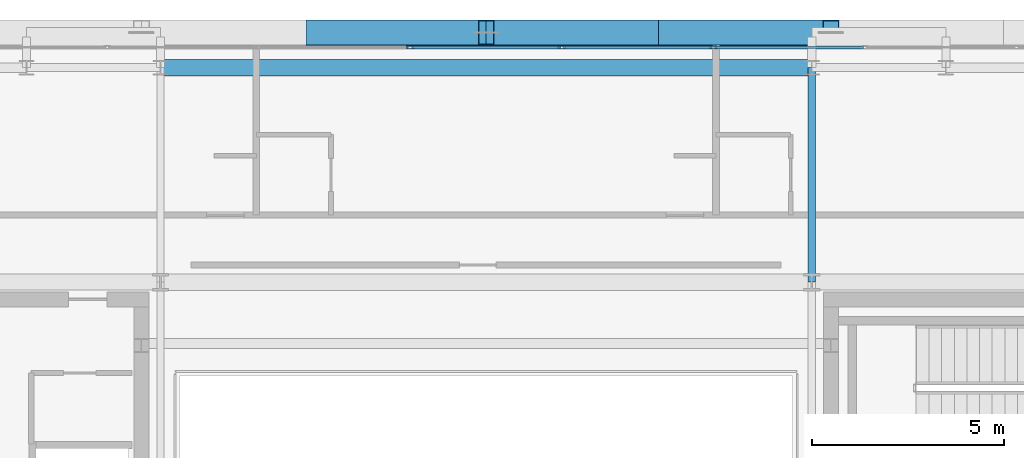
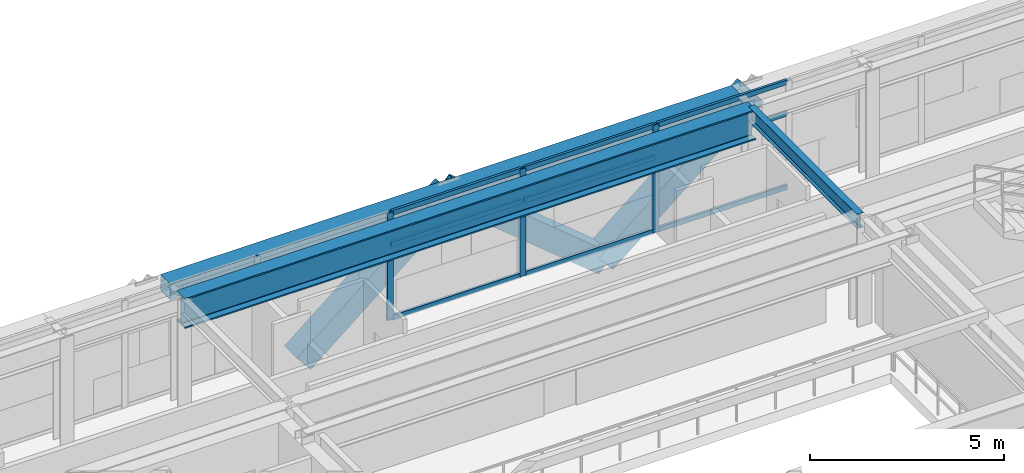
# One storey, part 16 of 29: 15 members, 3 beams, 1 element without a shape of its own.
"""IFC4 building model written with IfcOpenShell, lengths in metres."""

from ifc_helpers import new_model, si_unit, direction, frame, origin, origin_2d, place, context, subcontext, project, spatial, hollow_rectangle, i_section, extrude, source, transform, mapped, material, layer, layer_set, material_profile, profile_set, type_object, element, aggregate, save


model = new_model("IFC4")

# Units and contexts
model_context = context("Model", 3, precision=1e-05, world=origin(), true_north=direction((0.0, 1.0)))
body_context = subcontext(model_context, "Body", "Model", "MODEL_VIEW")
ifc_project = project(units=[si_unit("LENGTHUNIT", "METRE"), si_unit("AREAUNIT", "SQUARE_METRE"), si_unit("VOLUMEUNIT", "CUBIC_METRE"), si_unit("PLANEANGLEUNIT", "RADIAN"), si_unit("MASSUNIT", "GRAM", prefix="KILO")], contexts=[model_context])

# Site, building, storey
site_placement = place(None, origin())
site = spatial("IfcSite", under=ifc_project, at=site_placement, CompositionType="ELEMENT")
building_placement = place(site_placement, origin())
building = spatial("IfcBuilding", under=site, at=building_placement, Name="Ocotamira Hotel", CompositionType="ELEMENT")
storey_placement = place(building_placement, frame((0.0, 0.0, 247.199951171875)))
storey = spatial("IfcBuildingStorey", under=building, at=storey_placement, Name="L62", CompositionType="ELEMENT", Elevation=247.199951171875)

# Beams
ifc_material_1 = material(Name="Steel ASTM A913 Grade 65", Category="steel")
ifc_material_profile_1 = material_profile(ifc_material_1, i_section(OverallWidth=0.423095703125, OverallDepth=0.947998046875, WebThickness=0.02392578125, FlangeThickness=0.042724609375, FilletRadius=0.02392578125, at=origin_2d()), Name="W36X302")
ifc_profile_set_1 = profile_set([ifc_material_profile_1], Name="Steel ASTM A913 Grade 65")
beam_type_1 = type_object("IfcBeamType", Name="BM-TRUSS-W36X302", PredefinedType="BEAM", material=ifc_profile_set_1)
shared_shape_1 = source(origin(), body_context, "Body", "SweptSolid", [
    extrude(i_section(OverallWidth=0.423095703125, OverallDepth=0.947998046875, WebThickness=0.02392578125, FlangeThickness=0.042724609375, FilletRadius=0.02392578125, at=origin_2d()), origin(), (0.0, 0.0, 1.0), 17.0),
])
beam_1_placement = place(storey_placement, frame((23.5, 43.050048828125, 2.906005859375), z_axis=(1.0, 0.0, 0.0), x_axis=(0.0, 1.0, 0.0)))
element("IfcBeam", 1, at=beam_1_placement, inside=storey, type_object=beam_type_1, Name="L62 Girder Y43.05 X23.5-40.5", PredefinedType="BEAM", context=body_context, shape_type="MappedRepresentation", body=[
    mapped(shared_shape_1, transform((0.0, 0.0, 0.0), scale=1.0)),
])
ifc_material_2 = material(Name="Steel ASTM A500 Grade C", Category="steel")
ifc_material_profile_2 = material_profile(ifc_material_2, hollow_rectangle(XDim=0.5, YDim=0.5, WallThickness=0.02001953125, at=origin_2d()), Name="HSS500X500X20")
ifc_profile_set_2 = profile_set([ifc_material_profile_2], Name="Steel ASTM A500 Grade C")
beam_type_2 = type_object("IfcBeamType", Name="BM-SPAN-HSS500", PredefinedType="USERDEFINED", material=ifc_profile_set_2)
shared_shape_2 = source(origin(), body_context, "Body", "SweptSolid", [
    extrude(hollow_rectangle(XDim=0.5, YDim=0.5, WallThickness=0.02001953125, at=origin_2d()), origin(), (0.0, 0.0, 1.0), 17.0),
])
beam_2_placement = place(storey_placement, frame((23.5, 43.85009765625, 3.130126953125), z_axis=(1.0, 0.0, 0.0), x_axis=(0.0, 1.0, 0.0)))
element("IfcBeam", 2, at=beam_2_placement, inside=storey, type_object=beam_type_2, Name="L62 Edge Spandrel N X23.5-40.5", ObjectType="SPANDREL", PredefinedType="USERDEFINED", context=body_context, shape_type="MappedRepresentation", body=[
    mapped(shared_shape_2, transform((0.0, 0.0, 0.0), scale=1.0)),
])
ifc_material_3 = material(Name="Steel ASTM A992 Grade 50", Category="steel")
ifc_material_profile_3 = material_profile(ifc_material_3, i_section(OverallWidth=0.18994140625, OverallDepth=0.45703125, WebThickness=0.009033203125, FlangeThickness=0.014404296875, FilletRadius=0.010009765625, at=origin_2d()), Name="W18X50")
ifc_profile_set_3 = profile_set([ifc_material_profile_3], Name="Steel ASTM A992 Grade 50")
beam_type_3 = type_object("IfcBeamType", Name="BM-SEC-W18X50", PredefinedType="JOIST", material=ifc_profile_set_3)
shared_shape_3 = source(origin(), body_context, "Body", "SweptSolid", [
    extrude(i_section(OverallWidth=0.18994140625, OverallDepth=0.45703125, WebThickness=0.009033203125, FlangeThickness=0.014404296875, FilletRadius=0.010009765625, at=origin_2d()), origin(), (0.0, 0.0, 1.0), 5.60009765625),
])
beam_3_placement = place(storey_placement, frame((40.5, 37.449951171875, 3.151611328125), z_axis=(0.0, 1.0, 0.0), x_axis=(-1.0, 0.0, 0.0)))
element("IfcBeam", 3, at=beam_3_placement, inside=storey, type_object=beam_type_3, Name="L62 Beam X40.5 Y37.45-43.05", PredefinedType="JOIST", context=body_context, shape_type="MappedRepresentation", body=[
    mapped(shared_shape_3, transform((0.0, 0.0, 0.0), scale=1.0)),
])

# Members
ifc_material_4 = material(Name="Pale-metal coated steel ASTM A913 Grade 65", Category="steel")
ifc_material_profile_4 = material_profile(ifc_material_4, hollow_rectangle(XDim=0.64990234375, YDim=0.64990234375, WallThickness=0.02197265625, at=origin_2d()), Name="BOX650X650X22")
ifc_profile_set_4 = profile_set([ifc_material_profile_4], Name="Pale-metal coated steel ASTM A913 Grade 65")
member_type_1 = type_object("IfcMemberType", Name="MEM-EXO-BOX650", PredefinedType="BRACE", material=ifc_profile_set_4)
shared_shape_4 = source(origin(), body_context, "Body", "SweptSolid", [
    extrude(hollow_rectangle(XDim=0.64990234375, YDim=0.64990234375, WallThickness=0.02197265625, at=origin_2d()), origin(), (0.0, 0.0, 1.0), 5.825927734375),
])
for number, where, z_axis, x_axis, name in (
    (4, (27.5, 43.969970703125, -0.570068359375), (0.772409039467, 0.0, 0.635125401593), (0.0, 1.0, 0.0), "L62 Exoskeleton Diagrid N1.2"),
    (5, (36.5, 43.969970703125, -0.570068359375), (-0.772409039467, 0.0, 0.635125401593), (0.0, -1.0, 0.0), "L62 Exoskeleton Diagrid N2.1"),
    (6, (36.5, 43.969970703125, -0.570068359375), (0.772409039467, 0.0, 0.635125401593), (0.0, 1.0, 0.0), "L62 Exoskeleton Diagrid N2.2"),
):
    element("IfcMember", number, at=place(storey_placement, frame(where, z_axis=z_axis, x_axis=x_axis)), inside=storey, type_object=member_type_1, Name=name, PredefinedType="BRACE", context=body_context, shape_type="MappedRepresentation", body=[
        mapped(shared_shape_4, transform((0.0, 0.0, 0.0), scale=1.0)),
    ])

# Curtain wall, members
ifc_material_5 = material(Name="Anodised pale-metal aluminium and solar glass", Category="aluminium")
ifc_layer = layer(ifc_material_5, 0.239990234375)
ifc_layer_set = layer_set([ifc_layer], Name="Anodised pale-metal aluminium and solar glass")
curtain_wall_type = type_object("IfcCurtainWallType", Name="CW-SYS5-SKY", PredefinedType="NOTDEFINED", material=ifc_layer_set)
curtain_wall_placement = place(storey_placement, origin())
curtain_wall = element("IfcCurtainWall", 7, at=curtain_wall_placement, inside=storey, type_object=curtain_wall_type, Name="L62 Curtain Wall CW-5 CW-L62-N", PredefinedType="NOTDEFINED")
ifc_material_6 = material(Name="Anodised pale-metal aluminium 6063-T6", Category="aluminium")
ifc_material_profile_5 = material_profile(ifc_material_6, hollow_rectangle(XDim=0.074951171875, YDim=0.14990234375, WallThickness=0.006103515625, at=origin_2d()), Name="HSS150X75X6")
ifc_profile_set_5 = profile_set([ifc_material_profile_5], Name="Anodised pale-metal aluminium 6063-T6")
member_type_2 = type_object("IfcMemberType", Name="CWT-150X75", PredefinedType="USERDEFINED", material=ifc_profile_set_5)
shared_shape_5 = source(origin(), body_context, "Body", "SweptSolid", [
    extrude(hollow_rectangle(XDim=0.074951171875, YDim=0.14990234375, WallThickness=0.006103515625, at=origin_2d()), origin(), (0.0, 0.0, 1.0), 3.87548828125),
])
member_1_placement = place(storey_placement, frame((30.062255859375, 43.580078125, 0.03759765625), z_axis=(1.0, 0.0, 0.0), x_axis=(0.0, 1.0, 0.0)))
member_1 = element("IfcMember", 8, at=member_1_placement, type_object=member_type_2, Name="CW-5 transom 5.1", ObjectType="TRANSOM", PredefinedType="USERDEFINED", context=body_context, shape_type="MappedRepresentation", body=[
    mapped(shared_shape_5, transform((0.0, 0.0, 0.0), scale=1.0)),
])
member_2_placement = place(storey_placement, frame((30.062255859375, 43.580078125, 2.35009765625), z_axis=(1.0, 0.0, 0.0), x_axis=(0.0, 1.0, 0.0)))
member_2 = element("IfcMember", 9, at=member_2_placement, type_object=member_type_2, Name="CW-5 transom 5.2", ObjectType="TRANSOM", PredefinedType="USERDEFINED", context=body_context, shape_type="MappedRepresentation", body=[
    mapped(shared_shape_5, transform((0.0, 0.0, 0.0), scale=1.0)),
])
member_3_placement = place(storey_placement, frame((30.062255859375, 43.580078125, 3.342529296875), z_axis=(1.0, 0.0, 0.0), x_axis=(0.0, 1.0, 0.0)))
member_3 = element("IfcMember", 10, at=member_3_placement, type_object=member_type_2, Name="CW-5 transom 5.3", ObjectType="TRANSOM", PredefinedType="USERDEFINED", context=body_context, shape_type="MappedRepresentation", body=[
    mapped(shared_shape_5, transform((0.0, 0.0, 0.0), scale=1.0)),
])
member_4_placement = place(storey_placement, frame((34.017822265625, 43.580078125, 0.03759765625), z_axis=(1.0, 0.0, 0.0), x_axis=(0.0, 1.0, 0.0)))
member_4 = element("IfcMember", 11, at=member_4_placement, type_object=member_type_2, Name="CW-5 transom 6.1", ObjectType="TRANSOM", PredefinedType="USERDEFINED", context=body_context, shape_type="MappedRepresentation", body=[
    mapped(shared_shape_5, transform((0.0, 0.0, 0.0), scale=1.0)),
])
member_5_placement = place(storey_placement, frame((34.017822265625, 43.580078125, 2.35009765625), z_axis=(1.0, 0.0, 0.0), x_axis=(0.0, 1.0, 0.0)))
member_5 = element("IfcMember", 12, at=member_5_placement, type_object=member_type_2, Name="CW-5 transom 6.2", ObjectType="TRANSOM", PredefinedType="USERDEFINED", context=body_context, shape_type="MappedRepresentation", body=[
    mapped(shared_shape_5, transform((0.0, 0.0, 0.0), scale=1.0)),
])
member_6_placement = place(storey_placement, frame((34.017822265625, 43.580078125, 3.342529296875), z_axis=(1.0, 0.0, 0.0), x_axis=(0.0, 1.0, 0.0)))
member_6 = element("IfcMember", 13, at=member_6_placement, type_object=member_type_2, Name="CW-5 transom 6.3", ObjectType="TRANSOM", PredefinedType="USERDEFINED", context=body_context, shape_type="MappedRepresentation", body=[
    mapped(shared_shape_5, transform((0.0, 0.0, 0.0), scale=1.0)),
])
member_7_placement = place(storey_placement, frame((37.973388671875, 43.580078125, 0.03759765625), z_axis=(1.0, 0.0, 0.0), x_axis=(0.0, 1.0, 0.0)))
member_7 = element("IfcMember", 14, at=member_7_placement, type_object=member_type_2, Name="CW-5 transom 7.1", ObjectType="TRANSOM", PredefinedType="USERDEFINED", context=body_context, shape_type="MappedRepresentation", body=[
    mapped(shared_shape_5, transform((0.0, 0.0, 0.0), scale=1.0)),
])
member_8_placement = place(storey_placement, frame((37.973388671875, 43.580078125, 2.35009765625), z_axis=(1.0, 0.0, 0.0), x_axis=(0.0, 1.0, 0.0)))
member_8 = element("IfcMember", 15, at=member_8_placement, type_object=member_type_2, Name="CW-5 transom 7.2", ObjectType="TRANSOM", PredefinedType="USERDEFINED", context=body_context, shape_type="MappedRepresentation", body=[
    mapped(shared_shape_5, transform((0.0, 0.0, 0.0), scale=1.0)),
])
member_9_placement = place(storey_placement, frame((37.973388671875, 43.580078125, 3.342529296875), z_axis=(1.0, 0.0, 0.0), x_axis=(0.0, 1.0, 0.0)))
member_9 = element("IfcMember", 16, at=member_9_placement, type_object=member_type_2, Name="CW-5 transom 7.3", ObjectType="TRANSOM", PredefinedType="USERDEFINED", context=body_context, shape_type="MappedRepresentation", body=[
    mapped(shared_shape_5, transform((0.0, 0.0, 0.0), scale=1.0)),
])
ifc_material_profile_6 = material_profile(ifc_material_6, hollow_rectangle(XDim=0.080078125, YDim=0.179931640625, WallThickness=0.006103515625, at=origin_2d()), Name="HSS180X80X6")
ifc_profile_set_6 = profile_set([ifc_material_profile_6], Name="Anodised pale-metal aluminium 6063-T6")
member_type_3 = type_object("IfcMemberType", Name="CWM-180X75", PredefinedType="MULLION", material=ifc_profile_set_6)
shared_shape_6 = source(origin(), body_context, "Body", "SweptSolid", [
    extrude(hollow_rectangle(XDim=0.080078125, YDim=0.179931640625, WallThickness=0.006103515625, at=origin_2d()), origin(), (0.0, 0.0, 1.0), 3.380126953125),
])
member_10_placement = place(storey_placement, frame((30.022216796875, 43.580078125, 0.0), z_axis=(0.0, 0.0, 1.0), x_axis=(0.0, 1.0, 0.0)))
member_10 = element("IfcMember", 17, at=member_10_placement, type_object=member_type_3, Name="CW-5 mullion 5", PredefinedType="MULLION", context=body_context, shape_type="MappedRepresentation", body=[
    mapped(shared_shape_6, transform((0.0, 0.0, 0.0), scale=1.0)),
])
member_11_placement = place(storey_placement, frame((33.977783203125, 43.580078125, 0.0), z_axis=(0.0, 0.0, 1.0), x_axis=(0.0, 1.0, 0.0)))
member_11 = element("IfcMember", 18, at=member_11_placement, type_object=member_type_3, Name="CW-5 mullion 6", PredefinedType="MULLION", context=body_context, shape_type="MappedRepresentation", body=[
    mapped(shared_shape_6, transform((0.0, 0.0, 0.0), scale=1.0)),
])
member_12_placement = place(storey_placement, frame((37.933349609375, 43.580078125, 0.0), z_axis=(0.0, 0.0, 1.0), x_axis=(0.0, 1.0, 0.0)))
member_12 = element("IfcMember", 19, at=member_12_placement, type_object=member_type_3, Name="CW-5 mullion 7", PredefinedType="MULLION", context=body_context, shape_type="MappedRepresentation", body=[
    mapped(shared_shape_6, transform((0.0, 0.0, 0.0), scale=1.0)),
])
aggregate(curtain_wall, [member_10, member_11, member_12, member_1, member_2, member_3, member_4, member_5, member_6, member_7, member_8, member_9])

save(model, "model.ifc")
